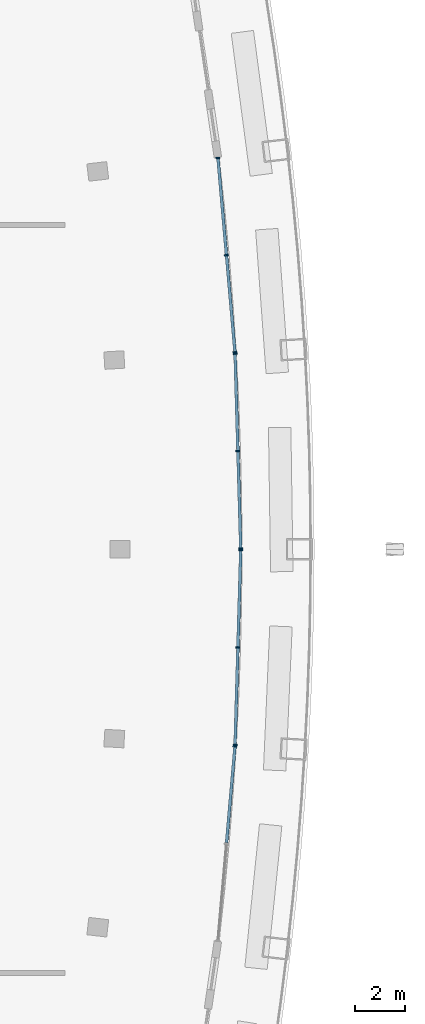
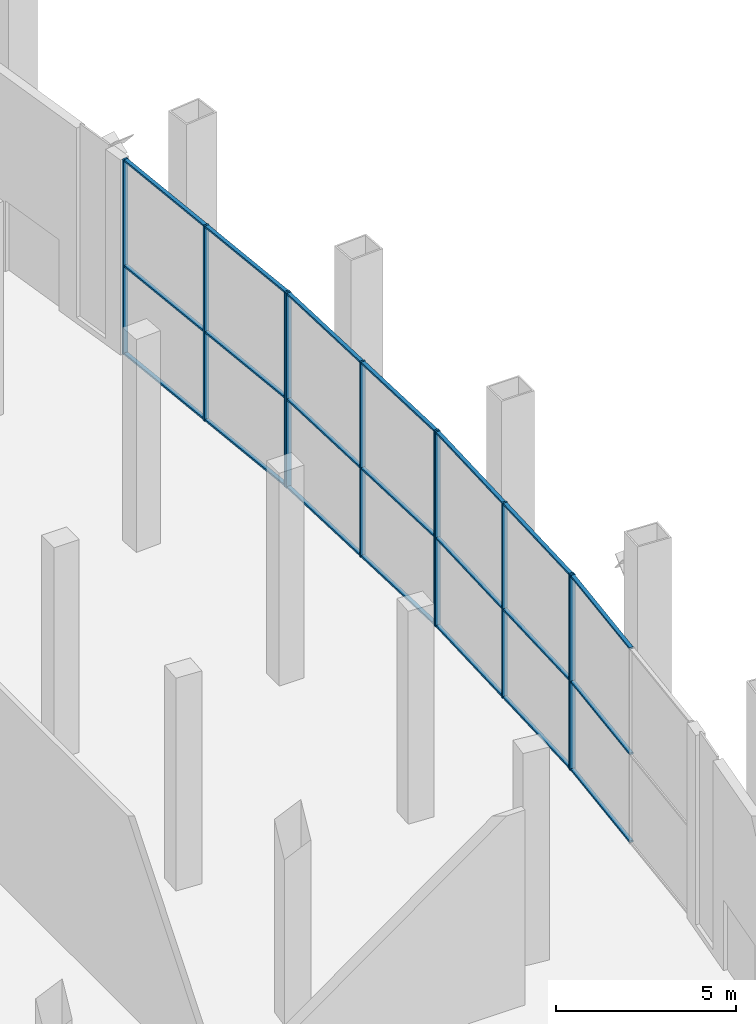
# One storey, part 9 of 24: 31 members, 4 elements without a shape of their own.
"""IFC4 building model written with IfcOpenShell, lengths in metres."""

from ifc_helpers import new_model, si_unit, direction, frame, origin, origin_2d, place, context, subcontext, project, spatial, rectangle, extrude, material, layer, layer_set, material_profile, profile_set, type_object, element, aggregate, save


model = new_model("IFC4")

# Units and contexts
model_context = context("Model", 3, precision=1e-05, world=origin(), true_north=direction((0.0, 1.0)))
body_context = subcontext(model_context, "Body", "Model", "MODEL_VIEW")
ifc_project = project(units=[si_unit("LENGTHUNIT", "METRE"), si_unit("AREAUNIT", "SQUARE_METRE"), si_unit("VOLUMEUNIT", "CUBIC_METRE"), si_unit("PLANEANGLEUNIT", "RADIAN"), si_unit("MASSUNIT", "GRAM", prefix="KILO")], contexts=[model_context])

# Site, building, storey
site_placement = place(None, origin())
site = spatial("IfcSite", under=ifc_project, at=site_placement, CompositionType="ELEMENT")
building_placement = place(site_placement, origin())
building = spatial("IfcBuilding", under=site, at=building_placement, Name="Alderwake Tower", CompositionType="ELEMENT")
storey_placement = place(building_placement, frame((0.0, 0.0, 232.39990234375)))
storey = spatial("IfcBuildingStorey", under=building, at=storey_placement, Name="L58", CompositionType="ELEMENT", Elevation=232.39990234375)

# Curtain wall, member
ifc_material_1 = material(Name="Bronze tinted glass in aluminium frame", Category="aluminium")
ifc_layer = layer(ifc_material_1, 0.199951171875)
ifc_layer_set = layer_set([ifc_layer], Name="Curtain wall CW3 sky garden glazing")
curtain_wall_type = type_object("IfcCurtainWallType", Name="Curtain wall CW3 sky garden glazing", PredefinedType="NOTDEFINED", material=ifc_layer_set)
curtain_wall_1_placement = place(storey_placement, origin())
curtain_wall_1 = element("IfcCurtainWall", 1, at=curtain_wall_1_placement, inside=storey, type_object=curtain_wall_type, Name="Curtain wall 3", PredefinedType="NOTDEFINED")
ifc_material_2 = material(Name="Aluminium bronze anodised", Category="aluminium")
ifc_material_profile_1 = material_profile(ifc_material_2, rectangle(XDim=0.159912109375, YDim=0.06005859375, at=origin_2d()), Name="Mullion MUC 60x160")
ifc_profile_set_1 = profile_set([ifc_material_profile_1], Name="Aluminium bronze anodised")
member_type_1 = type_object("IfcMemberType", Name="Mullion MUC 60x160", PredefinedType="MULLION", material=ifc_profile_set_1)
member_1_placement = place(storey_placement, frame((54.81787109375, 53.09814453125, 0.0), z_axis=(0.0, 0.0, 1.0), x_axis=(-0.996174200633, 0.087389713309, 0.0)))
member_1 = element("IfcMember", 2, at=member_1_placement, type_object=member_type_1, Name="CW.03 mullion 3", PredefinedType="MULLION", context=body_context, shape_type="SweptSolid", body=[
    extrude(rectangle(XDim=0.159912109375, YDim=0.06005859375, at=origin_2d()), origin(), (0.0, 0.0, 1.0), 6.60009765625),
])

# Curtain wall, members
curtain_wall_2_placement = place(storey_placement, origin())
curtain_wall_2 = element("IfcCurtainWall", 3, at=curtain_wall_2_placement, inside=storey, type_object=curtain_wall_type, Name="Curtain wall 4", PredefinedType="NOTDEFINED")
member_2_placement = place(storey_placement, frame((54.821044921875, 53.155029296875, 0.0), z_axis=(0.0, 0.0, 1.0), x_axis=(-0.999574658878, 0.029163355919, 0.0)))
member_2 = element("IfcMember", 4, at=member_2_placement, type_object=member_type_1, Name="CW.04 mullion 1", PredefinedType="MULLION", context=body_context, shape_type="SweptSolid", body=[
    extrude(rectangle(XDim=0.159912109375, YDim=0.06005859375, at=origin_2d()), origin(), (0.0, 0.0, 1.0), 6.60009765625),
])
member_3_placement = place(storey_placement, frame((54.93505859375, 57.063232421875, 0.0), z_axis=(0.0, 0.0, 1.0), x_axis=(-0.999574658878, 0.029163355919, 0.0)))
member_3 = element("IfcMember", 5, at=member_3_placement, type_object=member_type_1, Name="CW.04 mullion 2", PredefinedType="MULLION", context=body_context, shape_type="SweptSolid", body=[
    extrude(rectangle(XDim=0.159912109375, YDim=0.06005859375, at=origin_2d()), origin(), (0.0, 0.0, 1.0), 6.60009765625),
])
member_4_placement = place(storey_placement, frame((55.049072265625, 60.971435546875, 0.0), z_axis=(0.0, 0.0, 1.0), x_axis=(-0.999574658878, 0.029163355919, 0.0)))
member_4 = element("IfcMember", 6, at=member_4_placement, type_object=member_type_1, Name="CW.04 mullion 3", PredefinedType="MULLION", context=body_context, shape_type="SweptSolid", body=[
    extrude(rectangle(XDim=0.159912109375, YDim=0.06005859375, at=origin_2d()), origin(), (0.0, 0.0, 1.0), 6.60009765625),
])

curtain_wall_3_placement = place(storey_placement, origin())
curtain_wall_3 = element("IfcCurtainWall", 7, at=curtain_wall_3_placement, inside=storey, type_object=curtain_wall_type, Name="Curtain wall 5", PredefinedType="NOTDEFINED")
member_5_placement = place(storey_placement, frame((55.049072265625, 61.028564453125, 0.0), z_axis=(0.0, 0.0, 1.0), x_axis=(-0.999574658878, -0.029163355919, 0.0)))
member_5 = element("IfcMember", 8, at=member_5_placement, type_object=member_type_1, Name="CW.05 mullion 1", PredefinedType="MULLION", context=body_context, shape_type="SweptSolid", body=[
    extrude(rectangle(XDim=0.159912109375, YDim=0.06005859375, at=origin_2d()), origin(), (0.0, 0.0, 1.0), 6.60009765625),
])
member_6_placement = place(storey_placement, frame((54.93505859375, 64.936767578125, 0.0), z_axis=(0.0, 0.0, 1.0), x_axis=(-0.999574658878, -0.029163355919, 0.0)))
member_6 = element("IfcMember", 9, at=member_6_placement, type_object=member_type_1, Name="CW.05 mullion 2", PredefinedType="MULLION", context=body_context, shape_type="SweptSolid", body=[
    extrude(rectangle(XDim=0.159912109375, YDim=0.06005859375, at=origin_2d()), origin(), (0.0, 0.0, 1.0), 6.60009765625),
])
member_7_placement = place(storey_placement, frame((54.821044921875, 68.844970703125, 0.0), z_axis=(0.0, 0.0, 1.0), x_axis=(-0.999574658878, -0.029163355919, 0.0)))
member_7 = element("IfcMember", 10, at=member_7_placement, type_object=member_type_1, Name="CW.05 mullion 3", PredefinedType="MULLION", context=body_context, shape_type="SweptSolid", body=[
    extrude(rectangle(XDim=0.159912109375, YDim=0.06005859375, at=origin_2d()), origin(), (0.0, 0.0, 1.0), 6.60009765625),
])

curtain_wall_4_placement = place(storey_placement, origin())
curtain_wall_4 = element("IfcCurtainWall", 11, at=curtain_wall_4_placement, inside=storey, type_object=curtain_wall_type, Name="Curtain wall 6", PredefinedType="NOTDEFINED")
member_8_placement = place(storey_placement, frame((54.81787109375, 68.90185546875, 0.0), z_axis=(0.0, 0.0, 1.0), x_axis=(-0.996174200633, -0.087389713309, 0.0)))
member_8 = element("IfcMember", 12, at=member_8_placement, type_object=member_type_1, Name="CW.06 mullion 1", PredefinedType="MULLION", context=body_context, shape_type="SweptSolid", body=[
    extrude(rectangle(XDim=0.159912109375, YDim=0.06005859375, at=origin_2d()), origin(), (0.0, 0.0, 1.0), 6.60009765625),
])
member_9_placement = place(storey_placement, frame((54.47607421875, 72.796630859375, 0.0), z_axis=(0.0, 0.0, 1.0), x_axis=(-0.996174200633, -0.087389713309, 0.0)))
member_9 = element("IfcMember", 13, at=member_9_placement, type_object=member_type_1, Name="CW.06 mullion 2", PredefinedType="MULLION", context=body_context, shape_type="SweptSolid", body=[
    extrude(rectangle(XDim=0.159912109375, YDim=0.06005859375, at=origin_2d()), origin(), (0.0, 0.0, 1.0), 6.60009765625),
])
member_10_placement = place(storey_placement, frame((54.134521484375, 76.691650390625, 0.0), z_axis=(0.0, 0.0, 1.0), x_axis=(-0.996174200633, -0.087389713309, 0.0)))
member_10 = element("IfcMember", 14, at=member_10_placement, type_object=member_type_1, Name="CW.06 mullion 3", PredefinedType="MULLION", context=body_context, shape_type="SweptSolid", body=[
    extrude(rectangle(XDim=0.159912109375, YDim=0.06005859375, at=origin_2d()), origin(), (0.0, 0.0, 1.0), 6.60009765625),
])

# Member
ifc_material_3 = material(Name="Aluminium bronze anodised", Category="aluminium")
ifc_material_profile_2 = material_profile(ifc_material_3, rectangle(XDim=0.1201171875, YDim=0.06005859375, at=origin_2d()), Name="Transom TRC 60x120")
ifc_profile_set_2 = profile_set([ifc_material_profile_2], Name="Aluminium bronze anodised")
member_type_2 = type_object("IfcMemberType", Name="Transom TRC 60x120", PredefinedType="USERDEFINED", material=ifc_profile_set_2)
member_11_placement = place(storey_placement, frame((54.478759765625, 49.233154296875, 0.030029296875), z_axis=(0.087390372346, 0.996174142819, 0.0), x_axis=(-0.996174142819, 0.087390372346, 0.0)))
member_11 = element("IfcMember", 15, at=member_11_placement, type_object=member_type_2, Name="CW.03 transom 2.1", ObjectType="TRANSOM", PredefinedType="USERDEFINED", context=body_context, shape_type="SweptSolid", body=[
    extrude(rectangle(XDim=0.1201171875, YDim=0.06005859375, at=origin_2d()), origin(), (0.0, 0.0, 1.0), 3.849609375),
])

member_12_placement = place(storey_placement, frame((54.478759765625, 49.233154296875, 3.0), z_axis=(0.087390372346, 0.996174142819, 0.0), x_axis=(-0.996174142819, 0.087390372346, 0.0)))
member_12 = element("IfcMember", 16, at=member_12_placement, type_object=member_type_2, Name="CW.03 transom 2.2", ObjectType="TRANSOM", PredefinedType="USERDEFINED", context=body_context, shape_type="SweptSolid", body=[
    extrude(rectangle(XDim=0.1201171875, YDim=0.06005859375, at=origin_2d()), origin(), (0.0, 0.0, 1.0), 3.849609375),
])

member_13_placement = place(storey_placement, frame((54.478759765625, 49.233154296875, 6.570068359375), z_axis=(0.087390372346, 0.996174142819, 0.0), x_axis=(-0.996174142819, 0.087390372346, 0.0)))
member_13 = element("IfcMember", 17, at=member_13_placement, type_object=member_type_2, Name="CW.03 transom 2.3", ObjectType="TRANSOM", PredefinedType="USERDEFINED", context=body_context, shape_type="SweptSolid", body=[
    extrude(rectangle(XDim=0.1201171875, YDim=0.06005859375, at=origin_2d()), origin(), (0.0, 0.0, 1.0), 3.849609375),
])

aggregate(curtain_wall_1, [member_1, member_11, member_12, member_13])

member_14_placement = place(storey_placement, frame((54.822021484375, 53.18505859375, 0.030029296875), z_axis=(0.029171693387, 0.999574415591, 0.0), x_axis=(-0.999574415591, 0.029171693387, 0.0)))
member_14 = element("IfcMember", 18, at=member_14_placement, type_object=member_type_2, Name="CW.04 transom 1.1", ObjectType="TRANSOM", PredefinedType="USERDEFINED", context=body_context, shape_type="SweptSolid", body=[
    extrude(rectangle(XDim=0.1201171875, YDim=0.06005859375, at=origin_2d()), origin(), (0.0, 0.0, 1.0), 3.849853515625),
])

member_15_placement = place(storey_placement, frame((54.822021484375, 53.18505859375, 3.0), z_axis=(0.029171693387, 0.999574415591, 0.0), x_axis=(-0.999574415591, 0.029171693387, 0.0)))
member_15 = element("IfcMember", 19, at=member_15_placement, type_object=member_type_2, Name="CW.04 transom 1.2", ObjectType="TRANSOM", PredefinedType="USERDEFINED", context=body_context, shape_type="SweptSolid", body=[
    extrude(rectangle(XDim=0.1201171875, YDim=0.06005859375, at=origin_2d()), origin(), (0.0, 0.0, 1.0), 3.849853515625),
])

member_16_placement = place(storey_placement, frame((54.822021484375, 53.18505859375, 6.570068359375), z_axis=(0.029171693387, 0.999574415591, 0.0), x_axis=(-0.999574415591, 0.029171693387, 0.0)))
member_16 = element("IfcMember", 20, at=member_16_placement, type_object=member_type_2, Name="CW.04 transom 1.3", ObjectType="TRANSOM", PredefinedType="USERDEFINED", context=body_context, shape_type="SweptSolid", body=[
    extrude(rectangle(XDim=0.1201171875, YDim=0.06005859375, at=origin_2d()), origin(), (0.0, 0.0, 1.0), 3.849853515625),
])

member_17_placement = place(storey_placement, frame((54.93603515625, 57.09326171875, 0.030029296875), z_axis=(0.029171693387, 0.999574415591, 0.0), x_axis=(-0.999574415591, 0.029171693387, 0.0)))
member_17 = element("IfcMember", 21, at=member_17_placement, type_object=member_type_2, Name="CW.04 transom 2.1", ObjectType="TRANSOM", PredefinedType="USERDEFINED", context=body_context, shape_type="SweptSolid", body=[
    extrude(rectangle(XDim=0.1201171875, YDim=0.06005859375, at=origin_2d()), origin(), (0.0, 0.0, 1.0), 3.849853515625),
])

member_18_placement = place(storey_placement, frame((54.93603515625, 57.09326171875, 3.0), z_axis=(0.029171693387, 0.999574415591, 0.0), x_axis=(-0.999574415591, 0.029171693387, 0.0)))
member_18 = element("IfcMember", 22, at=member_18_placement, type_object=member_type_2, Name="CW.04 transom 2.2", ObjectType="TRANSOM", PredefinedType="USERDEFINED", context=body_context, shape_type="SweptSolid", body=[
    extrude(rectangle(XDim=0.1201171875, YDim=0.06005859375, at=origin_2d()), origin(), (0.0, 0.0, 1.0), 3.849853515625),
])

member_19_placement = place(storey_placement, frame((54.93603515625, 57.09326171875, 6.570068359375), z_axis=(0.029171693387, 0.999574415591, 0.0), x_axis=(-0.999574415591, 0.029171693387, 0.0)))
member_19 = element("IfcMember", 23, at=member_19_placement, type_object=member_type_2, Name="CW.04 transom 2.3", ObjectType="TRANSOM", PredefinedType="USERDEFINED", context=body_context, shape_type="SweptSolid", body=[
    extrude(rectangle(XDim=0.1201171875, YDim=0.06005859375, at=origin_2d()), origin(), (0.0, 0.0, 1.0), 3.849853515625),
])

aggregate(curtain_wall_2, [member_2, member_3, member_4, member_14, member_15, member_16, member_17, member_18, member_19])

member_20_placement = place(storey_placement, frame((55.04833984375, 61.05859375, 0.030029296875), z_axis=(-0.029171693387, 0.999574415591, 0.0), x_axis=(-0.999574415591, -0.029171693387, 0.0)))
member_20 = element("IfcMember", 24, at=member_20_placement, type_object=member_type_2, Name="CW.05 transom 1.1", ObjectType="TRANSOM", PredefinedType="USERDEFINED", context=body_context, shape_type="SweptSolid", body=[
    extrude(rectangle(XDim=0.1201171875, YDim=0.06005859375, at=origin_2d()), origin(), (0.0, 0.0, 1.0), 3.849853515625),
])

member_21_placement = place(storey_placement, frame((55.04833984375, 61.05859375, 3.0), z_axis=(-0.029171693387, 0.999574415591, 0.0), x_axis=(-0.999574415591, -0.029171693387, 0.0)))
member_21 = element("IfcMember", 25, at=member_21_placement, type_object=member_type_2, Name="CW.05 transom 1.2", ObjectType="TRANSOM", PredefinedType="USERDEFINED", context=body_context, shape_type="SweptSolid", body=[
    extrude(rectangle(XDim=0.1201171875, YDim=0.06005859375, at=origin_2d()), origin(), (0.0, 0.0, 1.0), 3.849853515625),
])

member_22_placement = place(storey_placement, frame((55.04833984375, 61.05859375, 6.570068359375), z_axis=(-0.029171693387, 0.999574415591, 0.0), x_axis=(-0.999574415591, -0.029171693387, 0.0)))
member_22 = element("IfcMember", 26, at=member_22_placement, type_object=member_type_2, Name="CW.05 transom 1.3", ObjectType="TRANSOM", PredefinedType="USERDEFINED", context=body_context, shape_type="SweptSolid", body=[
    extrude(rectangle(XDim=0.1201171875, YDim=0.06005859375, at=origin_2d()), origin(), (0.0, 0.0, 1.0), 3.849853515625),
])

member_23_placement = place(storey_placement, frame((54.934326171875, 64.966796875, 0.030029296875), z_axis=(-0.029171693387, 0.999574415591, 0.0), x_axis=(-0.999574415591, -0.029171693387, 0.0)))
member_23 = element("IfcMember", 27, at=member_23_placement, type_object=member_type_2, Name="CW.05 transom 2.1", ObjectType="TRANSOM", PredefinedType="USERDEFINED", context=body_context, shape_type="SweptSolid", body=[
    extrude(rectangle(XDim=0.1201171875, YDim=0.06005859375, at=origin_2d()), origin(), (0.0, 0.0, 1.0), 3.849853515625),
])

member_24_placement = place(storey_placement, frame((54.934326171875, 64.966796875, 3.0), z_axis=(-0.029171693387, 0.999574415591, 0.0), x_axis=(-0.999574415591, -0.029171693387, 0.0)))
member_24 = element("IfcMember", 28, at=member_24_placement, type_object=member_type_2, Name="CW.05 transom 2.2", ObjectType="TRANSOM", PredefinedType="USERDEFINED", context=body_context, shape_type="SweptSolid", body=[
    extrude(rectangle(XDim=0.1201171875, YDim=0.06005859375, at=origin_2d()), origin(), (0.0, 0.0, 1.0), 3.849853515625),
])

member_25_placement = place(storey_placement, frame((54.934326171875, 64.966796875, 6.570068359375), z_axis=(-0.029171693387, 0.999574415591, 0.0), x_axis=(-0.999574415591, -0.029171693387, 0.0)))
member_25 = element("IfcMember", 29, at=member_25_placement, type_object=member_type_2, Name="CW.05 transom 2.3", ObjectType="TRANSOM", PredefinedType="USERDEFINED", context=body_context, shape_type="SweptSolid", body=[
    extrude(rectangle(XDim=0.1201171875, YDim=0.06005859375, at=origin_2d()), origin(), (0.0, 0.0, 1.0), 3.849853515625),
])

aggregate(curtain_wall_3, [member_5, member_6, member_7, member_20, member_21, member_22, member_23, member_24, member_25])

member_26_placement = place(storey_placement, frame((54.815185546875, 68.931884765625, 0.030029296875), z_axis=(-0.087390372346, 0.996174142819, 0.0), x_axis=(-0.996174142819, -0.087390372346, 0.0)))
member_26 = element("IfcMember", 30, at=member_26_placement, type_object=member_type_2, Name="CW.06 transom 1.1", ObjectType="TRANSOM", PredefinedType="USERDEFINED", context=body_context, shape_type="SweptSolid", body=[
    extrude(rectangle(XDim=0.1201171875, YDim=0.06005859375, at=origin_2d()), origin(), (0.0, 0.0, 1.0), 3.849609375),
])

member_27_placement = place(storey_placement, frame((54.815185546875, 68.931884765625, 3.0), z_axis=(-0.087390372346, 0.996174142819, 0.0), x_axis=(-0.996174142819, -0.087390372346, 0.0)))
member_27 = element("IfcMember", 31, at=member_27_placement, type_object=member_type_2, Name="CW.06 transom 1.2", ObjectType="TRANSOM", PredefinedType="USERDEFINED", context=body_context, shape_type="SweptSolid", body=[
    extrude(rectangle(XDim=0.1201171875, YDim=0.06005859375, at=origin_2d()), origin(), (0.0, 0.0, 1.0), 3.849609375),
])

member_28_placement = place(storey_placement, frame((54.815185546875, 68.931884765625, 6.570068359375), z_axis=(-0.087390372346, 0.996174142819, 0.0), x_axis=(-0.996174142819, -0.087390372346, 0.0)))
member_28 = element("IfcMember", 32, at=member_28_placement, type_object=member_type_2, Name="CW.06 transom 1.3", ObjectType="TRANSOM", PredefinedType="USERDEFINED", context=body_context, shape_type="SweptSolid", body=[
    extrude(rectangle(XDim=0.1201171875, YDim=0.06005859375, at=origin_2d()), origin(), (0.0, 0.0, 1.0), 3.849609375),
])

member_29_placement = place(storey_placement, frame((54.473388671875, 72.82666015625, 0.030029296875), z_axis=(-0.087390372346, 0.996174142819, 0.0), x_axis=(-0.996174142819, -0.087390372346, 0.0)))
member_29 = element("IfcMember", 33, at=member_29_placement, type_object=member_type_2, Name="CW.06 transom 2.1", ObjectType="TRANSOM", PredefinedType="USERDEFINED", context=body_context, shape_type="SweptSolid", body=[
    extrude(rectangle(XDim=0.1201171875, YDim=0.06005859375, at=origin_2d()), origin(), (0.0, 0.0, 1.0), 3.849609375),
])

member_30_placement = place(storey_placement, frame((54.473388671875, 72.82666015625, 3.0), z_axis=(-0.087390372346, 0.996174142819, 0.0), x_axis=(-0.996174142819, -0.087390372346, 0.0)))
member_30 = element("IfcMember", 34, at=member_30_placement, type_object=member_type_2, Name="CW.06 transom 2.2", ObjectType="TRANSOM", PredefinedType="USERDEFINED", context=body_context, shape_type="SweptSolid", body=[
    extrude(rectangle(XDim=0.1201171875, YDim=0.06005859375, at=origin_2d()), origin(), (0.0, 0.0, 1.0), 3.849609375),
])

member_31_placement = place(storey_placement, frame((54.473388671875, 72.82666015625, 6.570068359375), z_axis=(-0.087390372346, 0.996174142819, 0.0), x_axis=(-0.996174142819, -0.087390372346, 0.0)))
member_31 = element("IfcMember", 35, at=member_31_placement, type_object=member_type_2, Name="CW.06 transom 2.3", ObjectType="TRANSOM", PredefinedType="USERDEFINED", context=body_context, shape_type="SweptSolid", body=[
    extrude(rectangle(XDim=0.1201171875, YDim=0.06005859375, at=origin_2d()), origin(), (0.0, 0.0, 1.0), 3.849609375),
])

aggregate(curtain_wall_4, [member_8, member_9, member_10, member_26, member_27, member_28, member_29, member_30, member_31])

save(model, "model.ifc")
